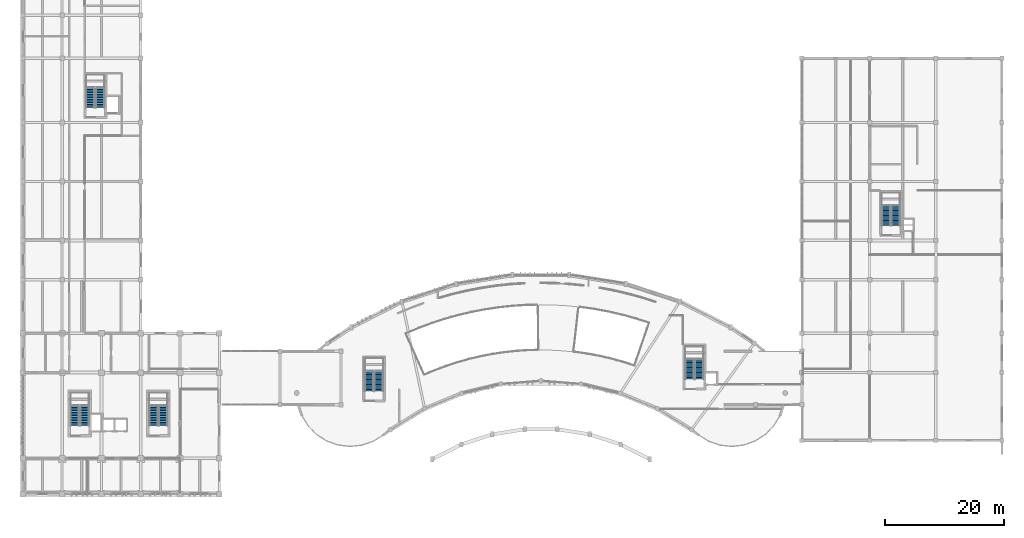
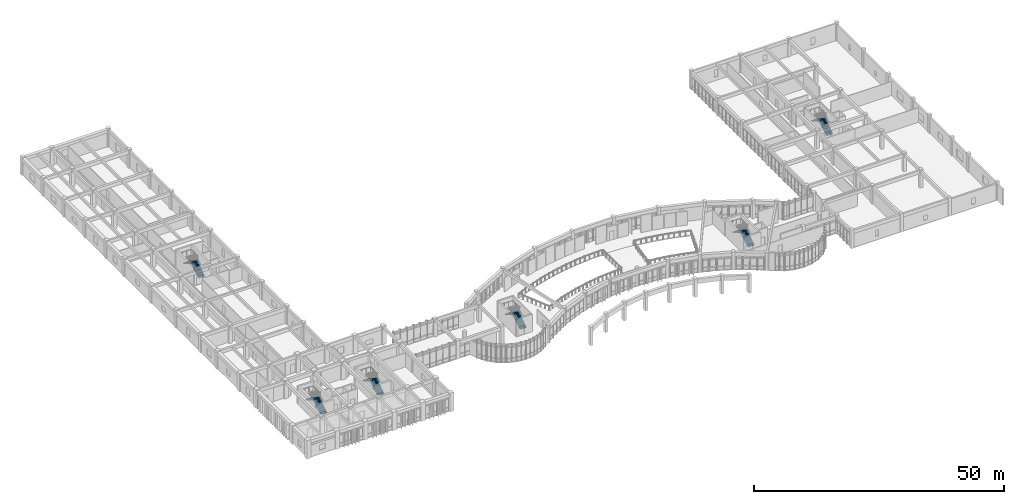
# One storey, part 50 of 57: 12 stair flights, 6 elements without a shape of their own.
"""IFC4 building model written with IfcOpenShell, lengths in metres."""

from ifc_helpers import new_model, si_unit, direction, frame, origin, place, context, subcontext, project, spatial, polyline, outline, extrude, material, layer, layer_set, type_object, element, aggregate, save


model = new_model("IFC4")

# Units and contexts
model_context = context("Model", 3, precision=1e-05, world=origin(), true_north=direction((0.0, 1.0)))
body_context = subcontext(model_context, "Body", "Model", "MODEL_VIEW")
ifc_project = project(units=[si_unit("LENGTHUNIT", "METRE"), si_unit("AREAUNIT", "SQUARE_METRE"), si_unit("VOLUMEUNIT", "CUBIC_METRE"), si_unit("PLANEANGLEUNIT", "RADIAN"), si_unit("MASSUNIT", "GRAM", prefix="KILO")], contexts=[model_context])

# Site, building, storey
site_placement = place(None, origin())
site = spatial("IfcSite", under=ifc_project, at=site_placement, CompositionType="ELEMENT")
building_placement = place(site_placement, origin())
building = spatial("IfcBuilding", under=site, at=building_placement, Name="Miralva Faculty of Natural Sciences", CompositionType="ELEMENT")
storey_placement = place(building_placement, frame((0.0, 0.0, 15.0)))
storey = spatial("IfcBuildingStorey", under=building, at=storey_placement, Name="L03", CompositionType="ELEMENT", Elevation=15.0)

# Stair, stair flights
ifc_material = material(Name="Concrete C40/50", Category="concrete")
stair_type = type_object("IfcStairType", Name="ST-CORE-450", PredefinedType="HALF_TURN_STAIR", material=ifc_material)
stair_1_placement = place(storey_placement, origin())
stair_1 = element("IfcStair", 1, at=stair_1_placement, inside=storey, type_object=stair_type, Name="Exit Stair Core C1 (ST-03) L03", PredefinedType="HALF_TURN_STAIR")
ifc_layer = layer(ifc_material, 0.159912109375, Name="SFL-160-166")
ifc_layer_set = layer_set([ifc_layer], Name="Concrete C40/50")
stair_flight_type = type_object("IfcStairFlightType", Name="SFL-160-166", PredefinedType="STRAIGHT", material=ifc_layer_set)
stair_flight_1_placement = place(storey_placement, frame((13.39990234375, 14.5, 0.0), z_axis=(0.0, 0.0, 1.0), x_axis=(0.0, 1.0, 0.0)))
stair_flight_1 = element("IfcStairFlight", 2, at=stair_flight_1_placement, type_object=stair_flight_type, Name="ST-03 flight 1", NumberOfRisers=13, NumberOfTreads=12, PredefinedType="STRAIGHT", RiserHeight=0.173076923, TreadLength=0.28, context=body_context, shape_type="SweptSolid", body=[
    extrude(outline(polyline([(0.0, 0.0), (0.0, 0.173095703125), (0.280029296875, 0.173095703125), (0.280029296875, 0.34619140625), (0.56005859375, 0.34619140625), (0.56005859375, 0.519287109375), (0.840087890625, 0.519287109375), (0.840087890625, 0.6923828125), (1.1201171875, 0.6923828125), (1.1201171875, 0.865478515625), (1.39990234375, 0.865478515625), (1.39990234375, 1.03857421875), (1.679931640625, 1.03857421875), (1.679931640625, 1.21142578125), (1.9599609375, 1.21142578125), (1.9599609375, 1.384521484375), (2.239990234375, 1.384521484375), (2.239990234375, 1.5576171875), (2.52001953125, 1.5576171875), (2.52001953125, 1.730712890625), (2.800048828125, 1.730712890625), (2.800048828125, 1.90380859375), (3.080078125, 1.90380859375), (3.080078125, 2.076904296875), (3.360107421875, 2.076904296875), (3.360107421875, 2.25), (3.360107421875, 1.900634765625), (0.28515625, 0.0), (0.0, 0.0)])), frame((0.0, 0.75, 0.0), z_axis=(0.0, -1.0, 0.0), x_axis=(1.0, 0.0, 0.0)), (0.0, 0.0, 1.0), 1.5),
])
stair_flight_2_placement = place(storey_placement, frame((11.75, 17.860107421875, 2.25), z_axis=(0.0, 0.0, 1.0), x_axis=(0.0, -1.0, 0.0)))
stair_flight_2 = element("IfcStairFlight", 3, at=stair_flight_2_placement, type_object=stair_flight_type, Name="ST-03 flight 2", NumberOfRisers=13, NumberOfTreads=12, PredefinedType="STRAIGHT", RiserHeight=0.173076923, TreadLength=0.28, context=body_context, shape_type="SweptSolid", body=[
    extrude(outline(polyline([(0.0, 0.0), (0.0, 0.173095703125), (0.280029296875, 0.173095703125), (0.280029296875, 0.34619140625), (0.56005859375, 0.34619140625), (0.56005859375, 0.519287109375), (0.840087890625, 0.519287109375), (0.840087890625, 0.6923828125), (1.1201171875, 0.6923828125), (1.1201171875, 0.865478515625), (1.39990234375, 0.865478515625), (1.39990234375, 1.03857421875), (1.679931640625, 1.03857421875), (1.679931640625, 1.21142578125), (1.9599609375, 1.21142578125), (1.9599609375, 1.384521484375), (2.239990234375, 1.384521484375), (2.239990234375, 1.5576171875), (2.52001953125, 1.5576171875), (2.52001953125, 1.730712890625), (2.800048828125, 1.730712890625), (2.800048828125, 1.90380859375), (3.080078125, 1.90380859375), (3.080078125, 2.076904296875), (3.360107421875, 2.076904296875), (3.360107421875, 2.25), (3.360107421875, 1.900634765625), (0.28515625, 0.0), (0.0, 0.0)])), frame((0.0, 0.75, 0.0), z_axis=(0.0, -1.0, 0.0), x_axis=(1.0, 0.0, 0.0)), (0.0, 0.0, 1.0), 1.5),
])
aggregate(stair_1, [stair_flight_1, stair_flight_2])

stair_2_placement = place(storey_placement, origin())
stair_2 = element("IfcStair", 4, at=stair_2_placement, inside=storey, type_object=stair_type, Name="Exit Stair Core C1B (ST-03) L03", PredefinedType="HALF_TURN_STAIR")
stair_flight_3_placement = place(storey_placement, frame((26.60009765625, 14.5, 0.0), z_axis=(0.0, 0.0, 1.0), x_axis=(0.0, 1.0, 0.0)))
stair_flight_3 = element("IfcStairFlight", 5, at=stair_flight_3_placement, type_object=stair_flight_type, Name="ST-03 flight 1", NumberOfRisers=13, NumberOfTreads=12, PredefinedType="STRAIGHT", RiserHeight=0.173076923, TreadLength=0.28, context=body_context, shape_type="SweptSolid", body=[
    extrude(outline(polyline([(0.0, 0.0), (0.0, 0.173095703125), (0.280029296875, 0.173095703125), (0.280029296875, 0.34619140625), (0.56005859375, 0.34619140625), (0.56005859375, 0.519287109375), (0.840087890625, 0.519287109375), (0.840087890625, 0.6923828125), (1.1201171875, 0.6923828125), (1.1201171875, 0.865478515625), (1.39990234375, 0.865478515625), (1.39990234375, 1.03857421875), (1.679931640625, 1.03857421875), (1.679931640625, 1.21142578125), (1.9599609375, 1.21142578125), (1.9599609375, 1.384521484375), (2.239990234375, 1.384521484375), (2.239990234375, 1.5576171875), (2.52001953125, 1.5576171875), (2.52001953125, 1.730712890625), (2.800048828125, 1.730712890625), (2.800048828125, 1.90380859375), (3.080078125, 1.90380859375), (3.080078125, 2.076904296875), (3.360107421875, 2.076904296875), (3.360107421875, 2.25), (3.360107421875, 1.900634765625), (0.28515625, 0.0), (0.0, 0.0)])), frame((0.0, 0.75, 0.0), z_axis=(0.0, -1.0, 0.0), x_axis=(1.0, 0.0, 0.0)), (0.0, 0.0, 1.0), 1.5),
])
stair_flight_4_placement = place(storey_placement, frame((24.949951171875, 17.860107421875, 2.25), z_axis=(0.0, 0.0, 1.0), x_axis=(0.0, -1.0, 0.0)))
stair_flight_4 = element("IfcStairFlight", 6, at=stair_flight_4_placement, type_object=stair_flight_type, Name="ST-03 flight 2", NumberOfRisers=13, NumberOfTreads=12, PredefinedType="STRAIGHT", RiserHeight=0.173076923, TreadLength=0.28, context=body_context, shape_type="SweptSolid", body=[
    extrude(outline(polyline([(0.0, 0.0), (0.0, 0.173095703125), (0.280029296875, 0.173095703125), (0.280029296875, 0.34619140625), (0.56005859375, 0.34619140625), (0.56005859375, 0.519287109375), (0.840087890625, 0.519287109375), (0.840087890625, 0.6923828125), (1.1201171875, 0.6923828125), (1.1201171875, 0.865478515625), (1.39990234375, 0.865478515625), (1.39990234375, 1.03857421875), (1.679931640625, 1.03857421875), (1.679931640625, 1.21142578125), (1.9599609375, 1.21142578125), (1.9599609375, 1.384521484375), (2.239990234375, 1.384521484375), (2.239990234375, 1.5576171875), (2.52001953125, 1.5576171875), (2.52001953125, 1.730712890625), (2.800048828125, 1.730712890625), (2.800048828125, 1.90380859375), (3.080078125, 1.90380859375), (3.080078125, 2.076904296875), (3.360107421875, 2.076904296875), (3.360107421875, 2.25), (3.360107421875, 1.900634765625), (0.28515625, 0.0), (0.0, 0.0)])), frame((0.0, 0.75, 0.0), z_axis=(0.0, -1.0, 0.0), x_axis=(1.0, 0.0, 0.0)), (0.0, 0.0, 1.0), 1.5),
])
aggregate(stair_2, [stair_flight_3, stair_flight_4])

stair_3_placement = place(storey_placement, origin())
stair_3 = element("IfcStair", 7, at=stair_3_placement, inside=storey, type_object=stair_type, Name="Exit Stair Core C2 (ST-03) L03", PredefinedType="HALF_TURN_STAIR")
stair_flight_5_placement = place(storey_placement, frame((16.0, 67.89990234375, 0.0), z_axis=(0.0, 0.0, 1.0), x_axis=(0.0, 1.0, 0.0)))
stair_flight_5 = element("IfcStairFlight", 8, at=stair_flight_5_placement, type_object=stair_flight_type, Name="ST-03 flight 1", NumberOfRisers=13, NumberOfTreads=12, PredefinedType="STRAIGHT", RiserHeight=0.173076923, TreadLength=0.28, context=body_context, shape_type="SweptSolid", body=[
    extrude(outline(polyline([(0.0, 0.0), (0.0, 0.173095703125), (0.280029296875, 0.173095703125), (0.280029296875, 0.34619140625), (0.56005859375, 0.34619140625), (0.56005859375, 0.519287109375), (0.840087890625, 0.519287109375), (0.840087890625, 0.6923828125), (1.1201171875, 0.6923828125), (1.1201171875, 0.865478515625), (1.39990234375, 0.865478515625), (1.39990234375, 1.03857421875), (1.679931640625, 1.03857421875), (1.679931640625, 1.21142578125), (1.9599609375, 1.21142578125), (1.9599609375, 1.384521484375), (2.239990234375, 1.384521484375), (2.239990234375, 1.5576171875), (2.52001953125, 1.5576171875), (2.52001953125, 1.730712890625), (2.800048828125, 1.730712890625), (2.800048828125, 1.90380859375), (3.080078125, 1.90380859375), (3.080078125, 2.076904296875), (3.360107421875, 2.076904296875), (3.360107421875, 2.25), (3.360107421875, 1.900634765625), (0.28515625, 0.0), (0.0, 0.0)])), frame((0.0, 0.75, 0.0), z_axis=(0.0, -1.0, 0.0), x_axis=(1.0, 0.0, 0.0)), (0.0, 0.0, 1.0), 1.5),
])
stair_flight_6_placement = place(storey_placement, frame((14.35009765625, 71.260009765625, 2.25), z_axis=(0.0, 0.0, 1.0), x_axis=(0.0, -1.0, 0.0)))
stair_flight_6 = element("IfcStairFlight", 9, at=stair_flight_6_placement, type_object=stair_flight_type, Name="ST-03 flight 2", NumberOfRisers=13, NumberOfTreads=12, PredefinedType="STRAIGHT", RiserHeight=0.173076923, TreadLength=0.28, context=body_context, shape_type="SweptSolid", body=[
    extrude(outline(polyline([(0.0, 0.0), (0.0, 0.173095703125), (0.280029296875, 0.173095703125), (0.280029296875, 0.34619140625), (0.56005859375, 0.34619140625), (0.56005859375, 0.519287109375), (0.840087890625, 0.519287109375), (0.840087890625, 0.6923828125), (1.1201171875, 0.6923828125), (1.1201171875, 0.865478515625), (1.39990234375, 0.865478515625), (1.39990234375, 1.03857421875), (1.679931640625, 1.03857421875), (1.679931640625, 1.21142578125), (1.9599609375, 1.21142578125), (1.9599609375, 1.384521484375), (2.239990234375, 1.384521484375), (2.239990234375, 1.5576171875), (2.52001953125, 1.5576171875), (2.52001953125, 1.730712890625), (2.800048828125, 1.730712890625), (2.800048828125, 1.90380859375), (3.080078125, 1.90380859375), (3.080078125, 2.076904296875), (3.360107421875, 2.076904296875), (3.360107421875, 2.25), (3.360107421875, 1.900634765625), (0.28515625, 0.0), (0.0, 0.0)])), frame((0.0, 0.75, 0.0), z_axis=(0.0, -1.0, 0.0), x_axis=(1.0, 0.0, 0.0)), (0.0, 0.0, 1.0), 1.5),
])
aggregate(stair_3, [stair_flight_5, stair_flight_6])

stair_4_placement = place(storey_placement, origin())
stair_4 = element("IfcStair", 10, at=stair_4_placement, inside=storey, type_object=stair_type, Name="Exit Stair Core C3 (ST-03) L03", PredefinedType="HALF_TURN_STAIR")
stair_flight_7_placement = place(storey_placement, frame((116.60009765625, 22.300048828125, 0.0), z_axis=(0.0, 0.0, 1.0), x_axis=(0.0, 1.0, 0.0)))
stair_flight_7 = element("IfcStairFlight", 11, at=stair_flight_7_placement, type_object=stair_flight_type, Name="ST-03 flight 1", NumberOfRisers=13, NumberOfTreads=12, PredefinedType="STRAIGHT", RiserHeight=0.173076923, TreadLength=0.28, context=body_context, shape_type="SweptSolid", body=[
    extrude(outline(polyline([(0.0, 0.0), (0.0, 0.173095703125), (0.280029296875, 0.173095703125), (0.280029296875, 0.34619140625), (0.56005859375, 0.34619140625), (0.56005859375, 0.519287109375), (0.840087890625, 0.519287109375), (0.840087890625, 0.6923828125), (1.1201171875, 0.6923828125), (1.1201171875, 0.865478515625), (1.39990234375, 0.865478515625), (1.39990234375, 1.03857421875), (1.679931640625, 1.03857421875), (1.679931640625, 1.21142578125), (1.9599609375, 1.21142578125), (1.9599609375, 1.384521484375), (2.239990234375, 1.384521484375), (2.239990234375, 1.5576171875), (2.52001953125, 1.5576171875), (2.52001953125, 1.730712890625), (2.800048828125, 1.730712890625), (2.800048828125, 1.90380859375), (3.080078125, 1.90380859375), (3.080078125, 2.076904296875), (3.360107421875, 2.076904296875), (3.360107421875, 2.25), (3.360107421875, 1.900634765625), (0.28515625, 0.0), (0.0, 0.0)])), frame((0.0, 0.75, 0.0), z_axis=(0.0, -1.0, 0.0), x_axis=(1.0, 0.0, 0.0)), (0.0, 0.0, 1.0), 1.5),
])
stair_flight_8_placement = place(storey_placement, frame((114.949951171875, 25.659912109375, 2.25), z_axis=(0.0, 0.0, 1.0), x_axis=(0.0, -1.0, 0.0)))
stair_flight_8 = element("IfcStairFlight", 12, at=stair_flight_8_placement, type_object=stair_flight_type, Name="ST-03 flight 2", NumberOfRisers=13, NumberOfTreads=12, PredefinedType="STRAIGHT", RiserHeight=0.173076923, TreadLength=0.28, context=body_context, shape_type="SweptSolid", body=[
    extrude(outline(polyline([(0.0, 0.0), (0.0, 0.173095703125), (0.280029296875, 0.173095703125), (0.280029296875, 0.34619140625), (0.56005859375, 0.34619140625), (0.56005859375, 0.519287109375), (0.840087890625, 0.519287109375), (0.840087890625, 0.6923828125), (1.1201171875, 0.6923828125), (1.1201171875, 0.865478515625), (1.39990234375, 0.865478515625), (1.39990234375, 1.03857421875), (1.679931640625, 1.03857421875), (1.679931640625, 1.21142578125), (1.9599609375, 1.21142578125), (1.9599609375, 1.384521484375), (2.239990234375, 1.384521484375), (2.239990234375, 1.5576171875), (2.52001953125, 1.5576171875), (2.52001953125, 1.730712890625), (2.800048828125, 1.730712890625), (2.800048828125, 1.90380859375), (3.080078125, 1.90380859375), (3.080078125, 2.076904296875), (3.360107421875, 2.076904296875), (3.360107421875, 2.25), (3.360107421875, 1.900634765625), (0.28515625, 0.0), (0.0, 0.0)])), frame((0.0, 0.75, 0.0), z_axis=(0.0, -1.0, 0.0), x_axis=(1.0, 0.0, 0.0)), (0.0, 0.0, 1.0), 1.5),
])
aggregate(stair_4, [stair_flight_7, stair_flight_8])

stair_5_placement = place(storey_placement, origin())
stair_5 = element("IfcStair", 13, at=stair_5_placement, inside=storey, type_object=stair_type, Name="Exit Stair Core C4 (ST-03) L03", PredefinedType="HALF_TURN_STAIR")
stair_flight_9_placement = place(storey_placement, frame((149.60009765625, 48.10009765625, 0.0), z_axis=(0.0, 0.0, 1.0), x_axis=(0.0, 1.0, 0.0)))
stair_flight_9 = element("IfcStairFlight", 14, at=stair_flight_9_placement, type_object=stair_flight_type, Name="ST-03 flight 1", NumberOfRisers=13, NumberOfTreads=12, PredefinedType="STRAIGHT", RiserHeight=0.173076923, TreadLength=0.28, context=body_context, shape_type="SweptSolid", body=[
    extrude(outline(polyline([(0.0, 0.0), (0.0, 0.173095703125), (0.280029296875, 0.173095703125), (0.280029296875, 0.34619140625), (0.56005859375, 0.34619140625), (0.56005859375, 0.519287109375), (0.840087890625, 0.519287109375), (0.840087890625, 0.6923828125), (1.1201171875, 0.6923828125), (1.1201171875, 0.865478515625), (1.39990234375, 0.865478515625), (1.39990234375, 1.03857421875), (1.679931640625, 1.03857421875), (1.679931640625, 1.21142578125), (1.9599609375, 1.21142578125), (1.9599609375, 1.384521484375), (2.239990234375, 1.384521484375), (2.239990234375, 1.5576171875), (2.52001953125, 1.5576171875), (2.52001953125, 1.730712890625), (2.800048828125, 1.730712890625), (2.800048828125, 1.90380859375), (3.080078125, 1.90380859375), (3.080078125, 2.076904296875), (3.360107421875, 2.076904296875), (3.360107421875, 2.25), (3.360107421875, 1.900634765625), (0.28515625, 0.0), (0.0, 0.0)])), frame((0.0, 0.75, 0.0), z_axis=(0.0, -1.0, 0.0), x_axis=(1.0, 0.0, 0.0)), (0.0, 0.0, 1.0), 1.5),
])
stair_flight_10_placement = place(storey_placement, frame((147.949951171875, 51.4599609375, 2.25), z_axis=(0.0, 0.0, 1.0), x_axis=(0.0, -1.0, 0.0)))
stair_flight_10 = element("IfcStairFlight", 15, at=stair_flight_10_placement, type_object=stair_flight_type, Name="ST-03 flight 2", NumberOfRisers=13, NumberOfTreads=12, PredefinedType="STRAIGHT", RiserHeight=0.173076923, TreadLength=0.28, context=body_context, shape_type="SweptSolid", body=[
    extrude(outline(polyline([(0.0, 0.0), (0.0, 0.173095703125), (0.280029296875, 0.173095703125), (0.280029296875, 0.34619140625), (0.56005859375, 0.34619140625), (0.56005859375, 0.519287109375), (0.840087890625, 0.519287109375), (0.840087890625, 0.6923828125), (1.1201171875, 0.6923828125), (1.1201171875, 0.865478515625), (1.39990234375, 0.865478515625), (1.39990234375, 1.03857421875), (1.679931640625, 1.03857421875), (1.679931640625, 1.21142578125), (1.9599609375, 1.21142578125), (1.9599609375, 1.384521484375), (2.239990234375, 1.384521484375), (2.239990234375, 1.5576171875), (2.52001953125, 1.5576171875), (2.52001953125, 1.730712890625), (2.800048828125, 1.730712890625), (2.800048828125, 1.90380859375), (3.080078125, 1.90380859375), (3.080078125, 2.076904296875), (3.360107421875, 2.076904296875), (3.360107421875, 2.25), (3.360107421875, 1.900634765625), (0.28515625, 0.0), (0.0, 0.0)])), frame((0.0, 0.75, 0.0), z_axis=(0.0, -1.0, 0.0), x_axis=(1.0, 0.0, 0.0)), (0.0, 0.0, 1.0), 1.5),
])
aggregate(stair_5, [stair_flight_9, stair_flight_10])

stair_6_placement = place(storey_placement, origin())
stair_6 = element("IfcStair", 16, at=stair_6_placement, inside=storey, type_object=stair_type, Name="Exit Stair Core C6 (ST-03) L03", PredefinedType="HALF_TURN_STAIR")
stair_flight_11_placement = place(storey_placement, frame((62.800048828125, 20.300048828125, 0.0), z_axis=(0.0, 0.0, 1.0), x_axis=(0.0, 1.0, 0.0)))
stair_flight_11 = element("IfcStairFlight", 17, at=stair_flight_11_placement, type_object=stair_flight_type, Name="ST-03 flight 1", NumberOfRisers=13, NumberOfTreads=12, PredefinedType="STRAIGHT", RiserHeight=0.173076923, TreadLength=0.28, context=body_context, shape_type="SweptSolid", body=[
    extrude(outline(polyline([(0.0, 0.0), (0.0, 0.173095703125), (0.280029296875, 0.173095703125), (0.280029296875, 0.34619140625), (0.56005859375, 0.34619140625), (0.56005859375, 0.519287109375), (0.840087890625, 0.519287109375), (0.840087890625, 0.6923828125), (1.1201171875, 0.6923828125), (1.1201171875, 0.865478515625), (1.39990234375, 0.865478515625), (1.39990234375, 1.03857421875), (1.679931640625, 1.03857421875), (1.679931640625, 1.21142578125), (1.9599609375, 1.21142578125), (1.9599609375, 1.384521484375), (2.239990234375, 1.384521484375), (2.239990234375, 1.5576171875), (2.52001953125, 1.5576171875), (2.52001953125, 1.730712890625), (2.800048828125, 1.730712890625), (2.800048828125, 1.90380859375), (3.080078125, 1.90380859375), (3.080078125, 2.076904296875), (3.360107421875, 2.076904296875), (3.360107421875, 2.25), (3.360107421875, 1.900634765625), (0.28515625, 0.0), (0.0, 0.0)])), frame((0.0, 0.75, 0.0), z_axis=(0.0, -1.0, 0.0), x_axis=(1.0, 0.0, 0.0)), (0.0, 0.0, 1.0), 1.5),
])
stair_flight_12_placement = place(storey_placement, frame((61.14990234375, 23.659912109375, 2.25), z_axis=(0.0, 0.0, 1.0), x_axis=(0.0, -1.0, 0.0)))
stair_flight_12 = element("IfcStairFlight", 18, at=stair_flight_12_placement, type_object=stair_flight_type, Name="ST-03 flight 2", NumberOfRisers=13, NumberOfTreads=12, PredefinedType="STRAIGHT", RiserHeight=0.173076923, TreadLength=0.28, context=body_context, shape_type="SweptSolid", body=[
    extrude(outline(polyline([(0.0, 0.0), (0.0, 0.173095703125), (0.280029296875, 0.173095703125), (0.280029296875, 0.34619140625), (0.56005859375, 0.34619140625), (0.56005859375, 0.519287109375), (0.840087890625, 0.519287109375), (0.840087890625, 0.6923828125), (1.1201171875, 0.6923828125), (1.1201171875, 0.865478515625), (1.39990234375, 0.865478515625), (1.39990234375, 1.03857421875), (1.679931640625, 1.03857421875), (1.679931640625, 1.21142578125), (1.9599609375, 1.21142578125), (1.9599609375, 1.384521484375), (2.239990234375, 1.384521484375), (2.239990234375, 1.5576171875), (2.52001953125, 1.5576171875), (2.52001953125, 1.730712890625), (2.800048828125, 1.730712890625), (2.800048828125, 1.90380859375), (3.080078125, 1.90380859375), (3.080078125, 2.076904296875), (3.360107421875, 2.076904296875), (3.360107421875, 2.25), (3.360107421875, 1.900634765625), (0.28515625, 0.0), (0.0, 0.0)])), frame((0.0, 0.75, 0.0), z_axis=(0.0, -1.0, 0.0), x_axis=(1.0, 0.0, 0.0)), (0.0, 0.0, 1.0), 1.5),
])
aggregate(stair_6, [stair_flight_11, stair_flight_12])

save(model, "model.ifc")
